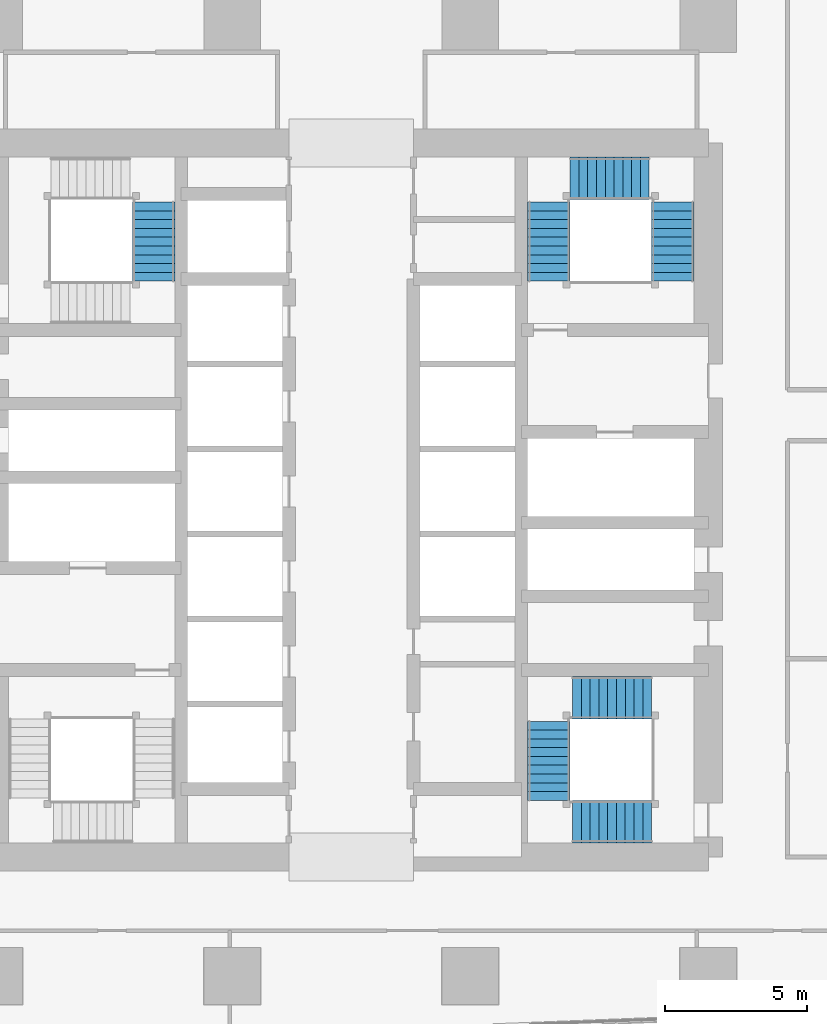
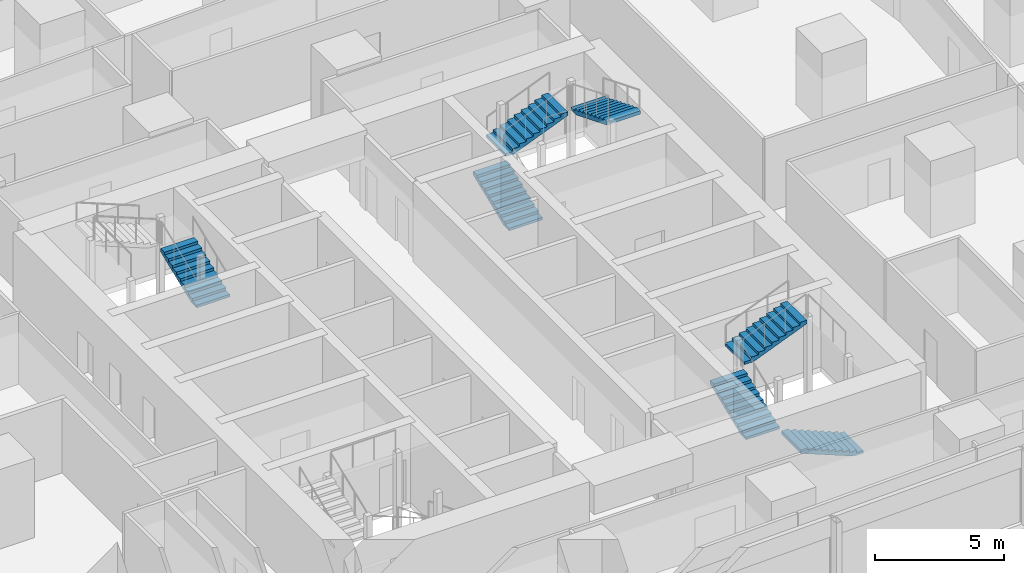
# One storey, part 29 of 36: 7 stair flights, 3 elements without a shape of their own.
"""IFC4 building model written with IfcOpenShell, lengths in metres."""

import ifcopenshell
import ifcopenshell.guid

model = None  # the IFC model being written
_history = None  # IfcOwnerHistory: only IFC2X3 demands one
_inside = {}  # id of a spatial element -> (the spatial element, [elements in it])
_under = {}  # id of a project, library or spatial element -> (it, [spatial elements below it])
_declared = {}  # id of a project -> (the project, [libraries it declares])
_typed = {}  # id of a type object -> (the type object, [elements of that type])
_made_of = {}  # id of a material, layer set ... -> (it, [elements and type objects made of it])


def new_model(schema):
    """Start an empty IFC model of exactly this schema.

    Asked for "IFC4X3", IfcOpenShell would pick the latest addendum, in which some entities
    have other attributes; the version numbers below select the first issue.
    IFC2X3 requires an IfcOwnerHistory on every rooted entity: one is made here for all.
    """
    global model, _history
    if schema == "IFC4X3":
        model = ifcopenshell.file(schema_version=(4, 3, 0, 0))
    else:
        model = ifcopenshell.file(schema=schema)
    _inside.clear()
    _under.clear()
    _declared.clear()
    _typed.clear()
    _made_of.clear()
    _history = None
    if model.schema == "IFC2X3":
        org = make("IfcOrganization", Name="unknown")
        user = make(
            "IfcPersonAndOrganization",
            ThePerson=make("IfcPerson", FamilyName="unknown"),
            TheOrganization=org,
        )
        app = make(
            "IfcApplication",
            ApplicationDeveloper=org,
            Version="unknown",
            ApplicationFullName="unknown",
            ApplicationIdentifier="unknown",
        )
        _history = make(
            "IfcOwnerHistory",
            OwningUser=user,
            OwningApplication=app,
            ChangeAction="ADDED",
            CreationDate=0,
        )
    return model


def make(cls, **values):
    """One entity of the class cls with the attributes given. An attribute that is None is left unset."""
    return model.create_entity(
        cls, **{name: value for name, value in values.items() if value is not None}
    )


def rooted(cls, **values):
    """An entity with a GlobalId (a new one), such as an element, a storey or a relation."""
    return make(cls, GlobalId=ifcopenshell.guid.new(), OwnerHistory=_history, **values)


def si_unit(unit_type, name, prefix=None):
    """IfcSIUnit, for example si_unit("LENGTHUNIT", "METRE", prefix="MILLI")."""
    return make("IfcSIUnit", UnitType=unit_type, Prefix=prefix, Name=name)


def assignment(units):
    """IfcUnitAssignment: the units of a project."""
    return None if units is None else make("IfcUnitAssignment", Units=units)


def point(xyz):
    """IfcCartesianPoint."""
    return None if xyz is None else make("IfcCartesianPoint", Coordinates=xyz)


def direction(xyz):
    """IfcDirection."""
    return None if xyz is None else make("IfcDirection", DirectionRatios=xyz)


def frame(location, z_axis=None, x_axis=None):
    """IfcAxis2Placement3D, a coordinate frame: its origin and axes. An axis left out is left unset."""
    return make(
        "IfcAxis2Placement3D",
        Location=point(location),
        Axis=direction(z_axis),
        RefDirection=direction(x_axis),
    )


def origin():
    """The frame at (0, 0, 0) with its axes left unset."""
    return frame((0.0, 0.0, 0.0))


def place(relative_to, where):
    """IfcLocalPlacement: puts the frame where relative to a parent placement (None: the world)."""
    return make(
        "IfcLocalPlacement", PlacementRelTo=relative_to, RelativePlacement=where
    )


def context(
    kind, dimensions, precision=None, world=None, true_north=None, identifier=None
):
    """IfcGeometricRepresentationContext, for example the 3D "Model" context."""
    return make(
        "IfcGeometricRepresentationContext",
        ContextIdentifier=identifier,
        ContextType=kind,
        CoordinateSpaceDimension=dimensions,
        Precision=precision,
        WorldCoordinateSystem=world,
        TrueNorth=true_north,
    )


def subcontext(parent, identifier, kind, view, scale=None):
    """IfcGeometricRepresentationSubContext, for example "Body" below "Model"."""
    return make(
        "IfcGeometricRepresentationSubContext",
        ContextIdentifier=identifier,
        ContextType=kind,
        ParentContext=parent,
        TargetScale=scale,
        TargetView=view,
    )


def project(units=None, contexts=None):
    """IfcProject with its units and contexts."""
    return rooted(
        "IfcProject",
        Name="project",
        RepresentationContexts=contexts,
        UnitsInContext=assignment(units),
    )


def spatial(cls, under=None, at=None, **own):
    """A site, building, storey or space (cls), placed at a placement, below another one or the project."""
    s = rooted(cls, ObjectPlacement=at, **own)
    if under is not None:
        _under.setdefault(under.id(), (under, []))[1].append(s)
    return s


def polyline(points):
    """IfcPolyline through the points."""
    return make("IfcPolyline", Points=[point(p) for p in points])


def outline(outer, holes=None, kind="AREA"):
    """IfcArbitraryClosedProfileDef: a profile drawn as a closed curve; with holes, ...WithVoids."""
    if holes is None:
        return make("IfcArbitraryClosedProfileDef", ProfileType=kind, OuterCurve=outer)
    return make(
        "IfcArbitraryProfileDefWithVoids",
        ProfileType=kind,
        OuterCurve=outer,
        InnerCurves=holes,
    )


def extrude(swept, where, along, depth):
    """IfcExtrudedAreaSolid: the profile swept, set in the frame where, extruded along a direction by depth."""
    return make(
        "IfcExtrudedAreaSolid",
        SweptArea=swept,
        Position=where,
        ExtrudedDirection=direction(along),
        Depth=depth,
    )


def shape(context_of_items, identifier, shape_type, items):
    """IfcShapeRepresentation: the items that make up one representation, for example the "Body"."""
    return make(
        "IfcShapeRepresentation",
        ContextOfItems=context_of_items,
        RepresentationIdentifier=identifier,
        RepresentationType=shape_type,
        Items=items,
    )


def material(Name=None, Category=None):
    """IfcMaterial."""
    return make("IfcMaterial", Name=Name, Category=Category)


def made_of(thing, what):
    """Note that an element or type object is made of a material, layer set ...; save() writes the relation."""
    if what is not None:
        _made_of.setdefault(what.id(), (what, []))[1].append(thing)
    return thing


def type_object(cls, material=None, **own):
    """A type object (cls), such as IfcWallType, which elements share."""
    return made_of(rooted(cls, **own), material)


def element(
    cls,
    number,
    at=None,
    inside=None,
    cuts=None,
    type_object=None,
    material=None,
    context=None,
    identifier="Body",
    shape_type=None,
    held_by="IfcProductDefinitionShape",
    body=None,
    shapes=None,
    **own,
):
    """One element of the class cls, such as IfcWall. Its Tag is "e" and its number.

    at: its placement. inside: the storey or other place that contains it. cuts: it is an
    opening in that element (IfcRelVoidsElement). A single representation is given by context,
    identifier, shape_type and body (its items); several are given by shapes. held_by: the class
    of the entity that holds the representations. save() writes the other relations.
    """
    e = rooted(cls, Tag="e%d" % number, ObjectPlacement=at, **own)
    if body is not None:
        shapes = [shape(context, identifier, shape_type, body)]
    if shapes is not None:
        e.Representation = make(held_by, Representations=shapes)
    if inside is not None:
        _inside.setdefault(inside.id(), (inside, []))[1].append(e)
    if cuts is not None:
        rooted(
            "IfcRelVoidsElement", RelatingBuildingElement=cuts, RelatedOpeningElement=e
        )
    if type_object is not None:
        _typed.setdefault(type_object.id(), (type_object, []))[1].append(e)
    return made_of(e, material)


def aggregate(whole, parts):
    """IfcRelAggregates: a whole, such as a stair, and the parts it consists of."""
    return rooted("IfcRelAggregates", RelatingObject=whole, RelatedObjects=parts)


def save(model, path):
    """Write the relations noted so far, then the file.

    IfcRelAggregates (storeys below a building ...), IfcRelContainedInSpatialStructure (elements
    in a storey), IfcRelDefinesByType, IfcRelAssociatesMaterial and IfcRelDeclares: one each for
    every whole, place, type object, material and project.
    """
    for whole, parts in _under.values():
        aggregate(whole, parts)
    for where, things in _inside.values():
        rooted(
            "IfcRelContainedInSpatialStructure",
            RelatedElements=things,
            RelatingStructure=where,
        )
    for kind, things in _typed.values():
        rooted("IfcRelDefinesByType", RelatedObjects=things, RelatingType=kind)
    for what, things in _made_of.values():
        rooted("IfcRelAssociatesMaterial", RelatedObjects=things, RelatingMaterial=what)
    for by, libraries in _declared.values():
        rooted("IfcRelDeclares", RelatingContext=by, RelatedDefinitions=libraries)
    model.write(path)


model = new_model("IFC4")

# Units and contexts
model_context = context("Model", 3, precision=1e-05, world=origin(), true_north=direction((0.0, 1.0)))
body_context = subcontext(model_context, "Body", "Model", "MODEL_VIEW")
ifc_project = project(units=[si_unit("LENGTHUNIT", "METRE"), si_unit("AREAUNIT", "SQUARE_METRE"), si_unit("VOLUMEUNIT", "CUBIC_METRE"), si_unit("PLANEANGLEUNIT", "RADIAN"), si_unit("MASSUNIT", "GRAM", prefix="KILO")], contexts=[model_context])

# Site, building, storey
site_placement = place(None, origin())
site = spatial("IfcSite", under=ifc_project, at=site_placement, CompositionType="ELEMENT")
building_placement = place(site_placement, origin())
building = spatial("IfcBuilding", under=site, at=building_placement, Name="Rekha Terrace Tower", CompositionType="ELEMENT")
storey_placement = place(building_placement, frame((0.0, 0.0, 144.050048828125)))
storey = spatial("IfcBuildingStorey", under=building, at=storey_placement, Name="L36", CompositionType="ELEMENT", Elevation=144.050048828125)

# Stair, stair flights
ifc_material = material(Name="Concrete M40", Category="concrete")
stair_type = type_object("IfcStairType", Name="ST30 stair, 30 risers of 125, going 310, 1500 wide flights, 3 flights", PredefinedType="HALF_TURN_STAIR", material=ifc_material)
stair_1_placement = place(storey_placement, origin())
stair_1 = element("IfcStair", 1, at=stair_1_placement, inside=storey, type_object=stair_type, Name="Stair ST2 L36 to L37", PredefinedType="HALF_TURN_STAIR")
stair_flight_type = type_object("IfcStairFlightType", Name="SF10 stair flight, 10 risers of 125, going 310, 1500 wide", PredefinedType="STRAIGHT", material=ifc_material)
stair_flight_1_placement = place(storey_placement, frame((44.77490234375, 41.324951171875, 0.0), z_axis=(0.0, 0.0, 1.0), x_axis=(0.0, 1.0, 0.0)))
stair_flight_1 = element("IfcStairFlight", 2, at=stair_flight_1_placement, type_object=stair_flight_type, Name="ST2 flight 1", NumberOfRisers=10, NumberOfTreads=9, PredefinedType="STRAIGHT", RiserHeight=0.125, TreadLength=0.31, context=body_context, shape_type="SweptSolid", body=[
    extrude(outline(polyline([(0.0, 0.0), (0.0, 0.125), (0.31005859375, 0.125), (0.31005859375, 0.25), (0.6201171875, 0.25), (0.6201171875, 0.375), (0.929931640625, 0.375), (0.929931640625, 0.5), (1.239990234375, 0.5), (1.239990234375, 0.625), (1.550048828125, 0.625), (1.550048828125, 0.75), (1.860107421875, 0.75), (1.860107421875, 0.875), (2.169921875, 0.875), (2.169921875, 1.0), (2.47998046875, 1.0), (2.47998046875, 1.125), (2.7900390625, 1.125), (2.7900390625, 1.25), (2.7900390625, 0.96337890625), (0.40087890625, 0.0), (0.0, 0.0)])), frame((0.0, 0.75, 0.0), z_axis=(0.0, -1.0, 0.0), x_axis=(1.0, 0.0, 0.0)), (0.0, 0.0, 1.0), 1.5),
])
stair_flight_2_placement = place(storey_placement, frame((45.52490234375, 44.949951171875, 1.25), z_axis=(0.0, 0.0, 1.0), x_axis=(1.0, 0.0, 0.0)))
stair_flight_2 = element("IfcStairFlight", 3, at=stair_flight_2_placement, type_object=stair_flight_type, Name="ST2 flight 2", NumberOfRisers=10, NumberOfTreads=9, PredefinedType="STRAIGHT", RiserHeight=0.125, TreadLength=0.31, context=body_context, shape_type="SweptSolid", body=[
    extrude(outline(polyline([(0.0, 0.0), (0.0, 0.125), (0.31005859375, 0.125), (0.31005859375, 0.25), (0.6201171875, 0.25), (0.6201171875, 0.375), (0.929931640625, 0.375), (0.929931640625, 0.5), (1.239990234375, 0.5), (1.239990234375, 0.625), (1.550048828125, 0.625), (1.550048828125, 0.75), (1.860107421875, 0.75), (1.860107421875, 0.875), (2.169921875, 0.875), (2.169921875, 1.0), (2.47998046875, 1.0), (2.47998046875, 1.125), (2.7900390625, 1.125), (2.7900390625, 1.25), (2.7900390625, 0.96337890625), (0.40087890625, 0.0), (0.0, 0.0)])), frame((0.0, 0.75, 0.0), z_axis=(0.0, -1.0, 0.0), x_axis=(1.0, 0.0, 0.0)), (0.0, 0.0, 1.0), 1.5),
])
stair_flight_3_placement = place(storey_placement, frame((49.14990234375, 44.114990234375, 2.5), z_axis=(0.0, 0.0, 1.0), x_axis=(0.0, -1.0, 0.0)))
stair_flight_3 = element("IfcStairFlight", 4, at=stair_flight_3_placement, type_object=stair_flight_type, Name="ST2 flight 3", NumberOfRisers=10, NumberOfTreads=9, PredefinedType="STRAIGHT", RiserHeight=0.125, TreadLength=0.31, context=body_context, shape_type="SweptSolid", body=[
    extrude(outline(polyline([(0.0, 0.0), (0.0, 0.125), (0.31005859375, 0.125), (0.31005859375, 0.25), (0.6201171875, 0.25), (0.6201171875, 0.375), (0.929931640625, 0.375), (0.929931640625, 0.5), (1.239990234375, 0.5), (1.239990234375, 0.625), (1.550048828125, 0.625), (1.550048828125, 0.75), (1.860107421875, 0.75), (1.860107421875, 0.875), (2.169921875, 0.875), (2.169921875, 1.0), (2.47998046875, 1.0), (2.47998046875, 1.125), (2.7900390625, 1.125), (2.7900390625, 1.25), (2.7900390625, 0.96337890625), (0.40087890625, 0.0), (0.0, 0.0)])), frame((0.0, 0.75, 0.0), z_axis=(0.0, -1.0, 0.0), x_axis=(1.0, 0.0, 0.0)), (0.0, 0.0, 1.0), 1.5),
])
aggregate(stair_1, [stair_flight_1, stair_flight_2, stair_flight_3])

stair_2_placement = place(storey_placement, origin())
stair_2 = element("IfcStair", 5, at=stair_2_placement, inside=storey, type_object=stair_type, Name="Stair ST3 L36 to L37", PredefinedType="HALF_TURN_STAIR")
stair_flight_4_placement = place(storey_placement, frame((48.39990234375, 22.25, 0.0), z_axis=(0.0, 0.0, 1.0), x_axis=(-1.0, 0.0, 0.0)))
stair_flight_4 = element("IfcStairFlight", 6, at=stair_flight_4_placement, type_object=stair_flight_type, Name="ST3 flight 1", NumberOfRisers=10, NumberOfTreads=9, PredefinedType="STRAIGHT", RiserHeight=0.125, TreadLength=0.31, context=body_context, shape_type="SweptSolid", body=[
    extrude(outline(polyline([(0.0, 0.0), (0.0, 0.125), (0.31005859375, 0.125), (0.31005859375, 0.25), (0.6201171875, 0.25), (0.6201171875, 0.375), (0.929931640625, 0.375), (0.929931640625, 0.5), (1.239990234375, 0.5), (1.239990234375, 0.625), (1.550048828125, 0.625), (1.550048828125, 0.75), (1.860107421875, 0.75), (1.860107421875, 0.875), (2.169921875, 0.875), (2.169921875, 1.0), (2.47998046875, 1.0), (2.47998046875, 1.125), (2.7900390625, 1.125), (2.7900390625, 1.25), (2.7900390625, 0.96337890625), (0.40087890625, 0.0), (0.0, 0.0)])), frame((0.0, 0.75, 0.0), z_axis=(0.0, -1.0, 0.0), x_axis=(1.0, 0.0, 0.0)), (0.0, 0.0, 1.0), 1.5),
])
stair_flight_5_placement = place(storey_placement, frame((44.77490234375, 23.0, 1.25), z_axis=(0.0, 0.0, 1.0), x_axis=(0.0, 1.0, 0.0)))
stair_flight_5 = element("IfcStairFlight", 7, at=stair_flight_5_placement, type_object=stair_flight_type, Name="ST3 flight 2", NumberOfRisers=10, NumberOfTreads=9, PredefinedType="STRAIGHT", RiserHeight=0.125, TreadLength=0.31, context=body_context, shape_type="SweptSolid", body=[
    extrude(outline(polyline([(0.0, 0.0), (0.0, 0.125), (0.31005859375, 0.125), (0.31005859375, 0.25), (0.6201171875, 0.25), (0.6201171875, 0.375), (0.929931640625, 0.375), (0.929931640625, 0.5), (1.239990234375, 0.5), (1.239990234375, 0.625), (1.550048828125, 0.625), (1.550048828125, 0.75), (1.860107421875, 0.75), (1.860107421875, 0.875), (2.169921875, 0.875), (2.169921875, 1.0), (2.47998046875, 1.0), (2.47998046875, 1.125), (2.7900390625, 1.125), (2.7900390625, 1.25), (2.7900390625, 0.96337890625), (0.40087890625, 0.0), (0.0, 0.0)])), frame((0.0, 0.75, 0.0), z_axis=(0.0, -1.0, 0.0), x_axis=(1.0, 0.0, 0.0)), (0.0, 0.0, 1.0), 1.5),
])
stair_flight_6_placement = place(storey_placement, frame((45.610107421875, 26.625, 2.5), z_axis=(0.0, 0.0, 1.0), x_axis=(1.0, 0.0, 0.0)))
stair_flight_6 = element("IfcStairFlight", 8, at=stair_flight_6_placement, type_object=stair_flight_type, Name="ST3 flight 3", NumberOfRisers=10, NumberOfTreads=9, PredefinedType="STRAIGHT", RiserHeight=0.125, TreadLength=0.31, context=body_context, shape_type="SweptSolid", body=[
    extrude(outline(polyline([(0.0, 0.0), (0.0, 0.125), (0.31005859375, 0.125), (0.31005859375, 0.25), (0.6201171875, 0.25), (0.6201171875, 0.375), (0.929931640625, 0.375), (0.929931640625, 0.5), (1.239990234375, 0.5), (1.239990234375, 0.625), (1.550048828125, 0.625), (1.550048828125, 0.75), (1.860107421875, 0.75), (1.860107421875, 0.875), (2.169921875, 0.875), (2.169921875, 1.0), (2.47998046875, 1.0), (2.47998046875, 1.125), (2.7900390625, 1.125), (2.7900390625, 1.25), (2.7900390625, 0.96337890625), (0.40087890625, 0.0), (0.0, 0.0)])), frame((0.0, 0.75, 0.0), z_axis=(0.0, -1.0, 0.0), x_axis=(1.0, 0.0, 0.0)), (0.0, 0.0, 1.0), 1.5),
])
aggregate(stair_2, [stair_flight_4, stair_flight_5, stair_flight_6])

# Stair, stair flight
stair_3_placement = place(storey_placement, origin())
stair_3 = element("IfcStair", 9, at=stair_3_placement, inside=storey, type_object=stair_type, Name="Stair ST4 L36 to L37", PredefinedType="HALF_TURN_STAIR")
stair_flight_7_placement = place(storey_placement, frame((30.824951171875, 41.324951171875, 1.25), z_axis=(0.0, 0.0, 1.0), x_axis=(0.0, 1.0, 0.0)))
stair_flight_7 = element("IfcStairFlight", 10, at=stair_flight_7_placement, type_object=stair_flight_type, Name="ST4 flight 2", NumberOfRisers=10, NumberOfTreads=9, PredefinedType="STRAIGHT", RiserHeight=0.125, TreadLength=0.31, context=body_context, shape_type="SweptSolid", body=[
    extrude(outline(polyline([(0.0, 0.0), (0.0, 0.125), (0.31005859375, 0.125), (0.31005859375, 0.25), (0.6201171875, 0.25), (0.6201171875, 0.375), (0.929931640625, 0.375), (0.929931640625, 0.5), (1.239990234375, 0.5), (1.239990234375, 0.625), (1.550048828125, 0.625), (1.550048828125, 0.75), (1.860107421875, 0.75), (1.860107421875, 0.875), (2.169921875, 0.875), (2.169921875, 1.0), (2.47998046875, 1.0), (2.47998046875, 1.125), (2.7900390625, 1.125), (2.7900390625, 1.25), (2.7900390625, 0.96337890625), (0.40087890625, 0.0), (0.0, 0.0)])), frame((0.0, 0.75, 0.0), z_axis=(0.0, -1.0, 0.0), x_axis=(1.0, 0.0, 0.0)), (0.0, 0.0, 1.0), 1.5),
])
aggregate(stair_3, [stair_flight_7])

save(model, "model.ifc")
